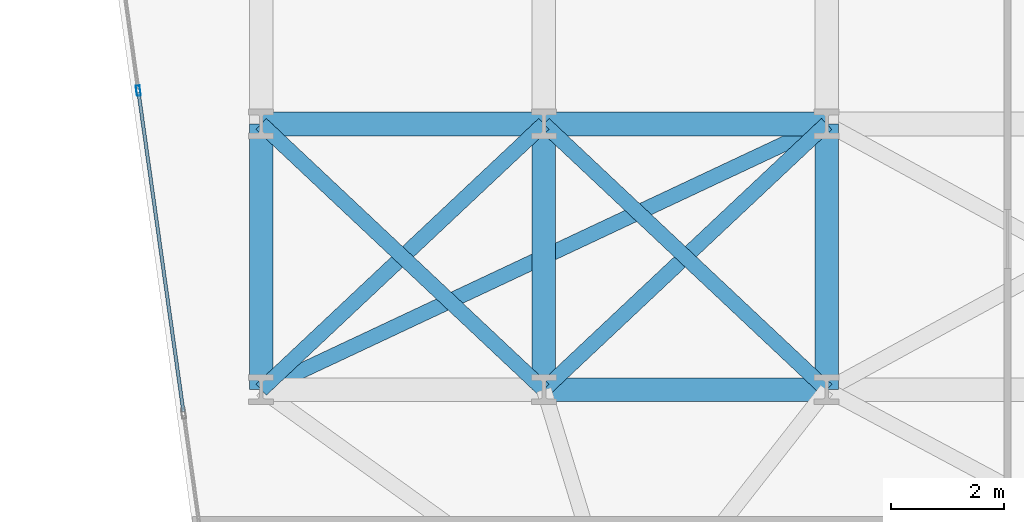
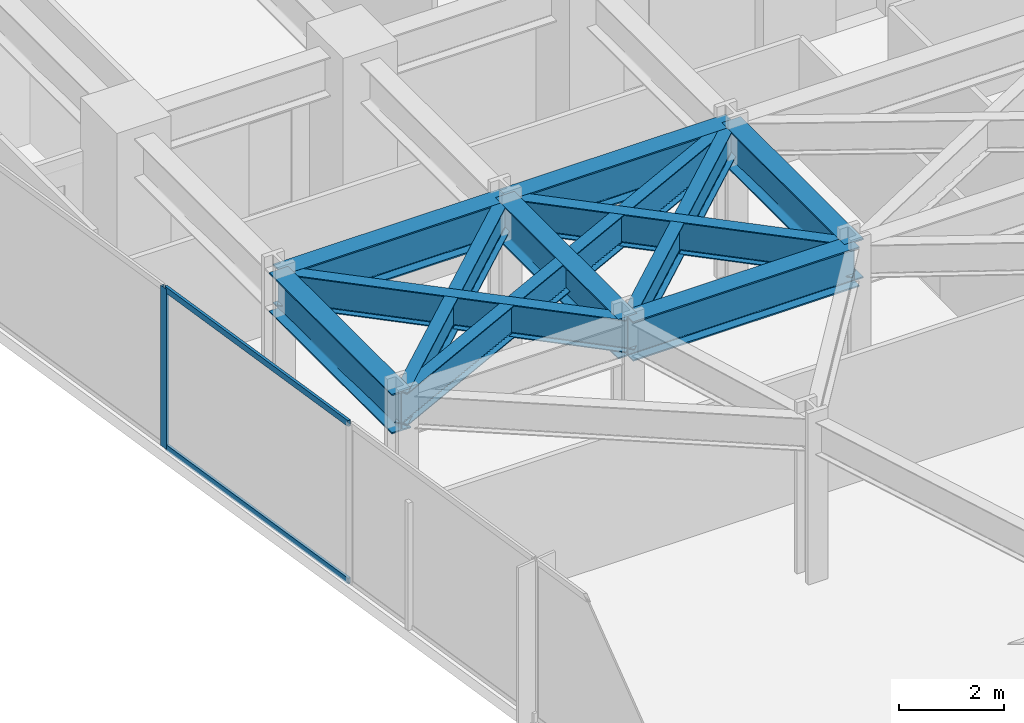
# One storey, part 8 of 25: 11 beams, 3 members, 1 element without a shape of its own.
"""IFC4 building model written with IfcOpenShell, lengths in metres."""

from ifc_helpers import new_model, si_unit, direction, frame, origin, origin_2d, place, context, subcontext, project, spatial, hollow_rectangle, i_section, extrude, material, layer, layer_set, material_profile, profile_set, type_object, element, aggregate, save


model = new_model("IFC4")

# Units and contexts
model_context = context("Model", 3, precision=1e-05, world=origin(), true_north=direction((0.0, 1.0)))
body_context = subcontext(model_context, "Body", "Model", "MODEL_VIEW")
ifc_project = project(units=[si_unit("LENGTHUNIT", "METRE"), si_unit("AREAUNIT", "SQUARE_METRE"), si_unit("VOLUMEUNIT", "CUBIC_METRE"), si_unit("PLANEANGLEUNIT", "RADIAN"), si_unit("MASSUNIT", "GRAM", prefix="KILO")], contexts=[model_context])

# Site, building, storey
site_placement = place(None, origin())
site = spatial("IfcSite", under=ifc_project, at=site_placement, CompositionType="ELEMENT")
building_placement = place(site_placement, origin())
building = spatial("IfcBuilding", under=site, at=building_placement, Name="Kravanh Interchange Tower", CompositionType="ELEMENT")
storey_placement = place(building_placement, frame((0.0, 0.0, 41.5)))
storey = spatial("IfcBuildingStorey", under=building, at=storey_placement, Name="L09", CompositionType="ELEMENT", Elevation=41.5)

# Curtain wall, members
ifc_material_1 = material(Name="Anodised Bronze Aluminium", Category="aluminium")
ifc_layer = layer(ifc_material_1, 0.179931640625)
ifc_layer_set = layer_set([ifc_layer], Name="Unitised Curtain Wall System CW-Z1 Lower Office")
curtain_wall_type = type_object("IfcCurtainWallType", Name="Unitised Curtain Wall System CW-Z1 Lower Office", PredefinedType="NOTDEFINED", material=ifc_layer_set)
curtain_wall_placement = place(storey_placement, origin())
curtain_wall = element("IfcCurtainWall", 1, at=curtain_wall_placement, inside=storey, type_object=curtain_wall_type, Name="L09 Unitised Curtain Wall CW-L09-01", PredefinedType="NOTDEFINED")
ifc_material_2 = material(Name="Anodised Bronze Aluminium", Category="aluminium")
ifc_material_profile_1 = material_profile(ifc_material_2, hollow_rectangle(XDim=0.070068359375, YDim=0.179931640625, WallThickness=0.00390625, at=origin_2d()), Name="ALU70X180X4")
ifc_profile_set_1 = profile_set([ifc_material_profile_1], Name="Anodised Bronze Aluminium")
member_type_1 = type_object("IfcMemberType", Name="Curtain Wall Mullion ALU70X180X4 Bronze", PredefinedType="MULLION", material=ifc_profile_set_1)
member_1_placement = place(storey_placement, frame((6.427490234375, 32.08935546875, 0.0), z_axis=(0.0, 0.0, 1.0), x_axis=(-0.990267585682, -0.139176538065, 0.0)))
member_1 = element("IfcMember", 2, at=member_1_placement, type_object=member_type_1, Name="CW-Z1 mullion 6", PredefinedType="MULLION", context=body_context, shape_type="SweptSolid", body=[
    extrude(hollow_rectangle(XDim=0.070068359375, YDim=0.179931640625, WallThickness=0.00390625, at=origin_2d()), origin(), (0.0, 0.0, 1.0), 3.739990234375),
])
ifc_material_3 = material(Name="Anodised Bronze Aluminium", Category="aluminium")
ifc_material_profile_2 = material_profile(ifc_material_3, hollow_rectangle(XDim=0.06005859375, YDim=0.139892578125, WallThickness=0.00390625, at=origin_2d()), Name="ALU60X140X4")
ifc_profile_set_2 = profile_set([ifc_material_profile_2], Name="Anodised Bronze Aluminium")
member_type_2 = type_object("IfcMemberType", Name="Curtain Wall Transom ALU60X140X4 Bronze", PredefinedType="USERDEFINED", material=ifc_profile_set_2)
member_2_placement = place(storey_placement, frame((7.22509765625, 26.41357421875, 0.030029296875), z_axis=(-0.139158957544, 0.990270056366, 0.0), x_axis=(-0.990270056366, -0.139158957544, 0.0)))
member_2 = element("IfcMember", 3, at=member_2_placement, type_object=member_type_2, Name="CW-Z1 transom 5.1", ObjectType="TRANSOM", PredefinedType="USERDEFINED", context=body_context, shape_type="SweptSolid", body=[
    extrude(hollow_rectangle(XDim=0.06005859375, YDim=0.139892578125, WallThickness=0.00390625, at=origin_2d()), origin(), (0.0, 0.0, 1.0), 5.696533203125),
])
member_3_placement = place(storey_placement, frame((7.22509765625, 26.41357421875, 3.7099609375), z_axis=(-0.139158957544, 0.990270056366, 0.0), x_axis=(-0.990270056366, -0.139158957544, 0.0)))
member_3 = element("IfcMember", 4, at=member_3_placement, type_object=member_type_2, Name="CW-Z1 transom 5.2", ObjectType="TRANSOM", PredefinedType="USERDEFINED", context=body_context, shape_type="SweptSolid", body=[
    extrude(hollow_rectangle(XDim=0.06005859375, YDim=0.139892578125, WallThickness=0.00390625, at=origin_2d()), origin(), (0.0, 0.0, 1.0), 5.696533203125),
])
aggregate(curtain_wall, [member_1, member_2, member_3])

# Beams
ifc_material_4 = material(Name="Structural Steel S355", Category="steel")
ifc_material_profile_3 = material_profile(ifc_material_4, i_section(OverallWidth=0.41796875, OverallDepth=0.927001953125, WebThickness=0.019287109375, FlangeThickness=0.031982421875, FilletRadius=0.028076171875, at=origin_2d()), Name="W36X231")
ifc_profile_set_3 = profile_set([ifc_material_profile_3], Name="Structural Steel S355")
beam_type_1 = type_object("IfcBeamType", Name="Floor Beam W36X231 Structural Steel S355", PredefinedType="BEAM", material=ifc_profile_set_3)
for number, where, z_axis, x_axis, name in (
    (5, (8.60009765625, 26.800048828125, 3.276611328125), (0.0, 1.0, 0.0), (-1.0, 0.0, 0.0), "L09 Primary Floor Girder 66"),
    (6, (13.60009765625, 26.800048828125, 3.276611328125), (0.0, 1.0, 0.0), (-1.0, 0.0, 0.0), "L09 Primary Floor Girder 70"),
):
    element("IfcBeam", number, at=place(storey_placement, frame(where, z_axis=z_axis, x_axis=x_axis)), inside=storey, type_object=beam_type_1, Name=name, PredefinedType="BEAM", context=body_context, shape_type="SweptSolid", body=[
        extrude(i_section(OverallWidth=0.41796875, OverallDepth=0.927001953125, WebThickness=0.019287109375, FlangeThickness=0.031982421875, FilletRadius=0.028076171875, at=origin_2d()), origin(), (0.0, 0.0, 1.0), 4.699951171875),
    ])
beam_1_placement = place(storey_placement, frame((13.60009765625, 26.800048828125, 3.276611328125), z_axis=(1.0, 0.0, 0.0), x_axis=(0.0, 1.0, 0.0)))
element("IfcBeam", 7, at=beam_1_placement, inside=storey, type_object=beam_type_1, Name="L09 Primary Floor Girder 71", PredefinedType="BEAM", context=body_context, shape_type="SweptSolid", body=[
    extrude(i_section(OverallWidth=0.41796875, OverallDepth=0.927001953125, WebThickness=0.019287109375, FlangeThickness=0.031982421875, FilletRadius=0.028076171875, at=origin_2d()), origin(), (0.0, 0.0, 1.0), 5.0),
])
beam_2_placement = place(storey_placement, frame((18.60009765625, 26.800048828125, 3.276611328125), z_axis=(0.0, 1.0, 0.0), x_axis=(-1.0, 0.0, 0.0)))
element("IfcBeam", 8, at=beam_2_placement, inside=storey, type_object=beam_type_1, Name="L09 Primary Floor Girder 74", PredefinedType="BEAM", context=body_context, shape_type="SweptSolid", body=[
    extrude(i_section(OverallWidth=0.41796875, OverallDepth=0.927001953125, WebThickness=0.019287109375, FlangeThickness=0.031982421875, FilletRadius=0.028076171875, at=origin_2d()), origin(), (0.0, 0.0, 1.0), 4.699951171875),
])
for number, where, z_axis, x_axis, name in (
    (9, (8.60009765625, 31.5, 3.276611328125), (1.0, 0.0, 0.0), (0.0, 1.0, 0.0), "L09 Primary Floor Girder 100"),
    (10, (13.60009765625, 31.5, 3.276611328125), (1.0, 0.0, 0.0), (0.0, 1.0, 0.0), "L09 Primary Floor Girder 101"),
):
    element("IfcBeam", number, at=place(storey_placement, frame(where, z_axis=z_axis, x_axis=x_axis)), inside=storey, type_object=beam_type_1, Name=name, PredefinedType="BEAM", context=body_context, shape_type="SweptSolid", body=[
        extrude(i_section(OverallWidth=0.41796875, OverallDepth=0.927001953125, WebThickness=0.019287109375, FlangeThickness=0.031982421875, FilletRadius=0.028076171875, at=origin_2d()), origin(), (0.0, 0.0, 1.0), 5.0),
    ])
ifc_material_5 = material(Name="Structural Steel S355", Category="steel")
ifc_material_profile_4 = material_profile(ifc_material_5, i_section(OverallWidth=0.26708984375, OverallDepth=0.761962890625, WebThickness=0.014404296875, FlangeThickness=0.021484375, FilletRadius=0.02490234375, at=origin_2d()), Name="W30X116")
ifc_profile_set_4 = profile_set([ifc_material_profile_4], Name="Structural Steel S355")
beam_type_2 = type_object("IfcBeamType", Name="Floor Spandrel W30X116 Structural Steel S355", PredefinedType="SPANDREL", material=ifc_profile_set_4)
beam_3_placement = place(storey_placement, frame((8.60009765625, 26.800048828125, 3.35888671875), z_axis=(0.728631219862, 0.684906231131, 0.0), x_axis=(-0.684906231131, 0.728631219862, 0.0)))
element("IfcBeam", 11, at=beam_3_placement, inside=storey, type_object=beam_type_2, Name="L09 Perimeter Spandrel 68", PredefinedType="SPANDREL", context=body_context, shape_type="SweptSolid", body=[
    extrude(i_section(OverallWidth=0.26708984375, OverallDepth=0.761962890625, WebThickness=0.014404296875, FlangeThickness=0.021484375, FilletRadius=0.02490234375, at=origin_2d()), origin(), (0.0, 0.0, 1.0), 6.862060546875),
])
beam_4_placement = place(storey_placement, frame((8.60009765625, 26.800048828125, 3.35888671875), z_axis=(0.905025402916, 0.425357520301, 0.0), x_axis=(-0.425357520301, 0.905025402916, 0.0)))
element("IfcBeam", 12, at=beam_4_placement, inside=storey, type_object=beam_type_2, Name="L09 Perimeter Spandrel 69", PredefinedType="SPANDREL", context=body_context, shape_type="SweptSolid", body=[
    extrude(i_section(OverallWidth=0.26708984375, OverallDepth=0.761962890625, WebThickness=0.014404296875, FlangeThickness=0.021484375, FilletRadius=0.02490234375, at=origin_2d()), origin(), (0.0, 0.0, 1.0), 11.04931640625),
])
for number, where, z_axis, x_axis, name in (
    (13, (13.60009765625, 26.800048828125, 3.35888671875), (-0.728631219862, 0.684906231131, 0.0), (-0.684906231131, -0.728631219862, 0.0), "L09 Perimeter Spandrel 72"),
    (14, (13.60009765625, 26.800048828125, 3.35888671875), (0.728631219862, 0.684906231131, 0.0), (-0.684906231131, 0.728631219862, 0.0), "L09 Perimeter Spandrel 73"),
    (15, (18.60009765625, 26.800048828125, 3.35888671875), (-0.728631219862, 0.684906231131, 0.0), (-0.684906231131, -0.728631219862, 0.0), "L09 Perimeter Spandrel 75"),
):
    element("IfcBeam", number, at=place(storey_placement, frame(where, z_axis=z_axis, x_axis=x_axis)), inside=storey, type_object=beam_type_2, Name=name, PredefinedType="SPANDREL", context=body_context, shape_type="SweptSolid", body=[
        extrude(i_section(OverallWidth=0.26708984375, OverallDepth=0.761962890625, WebThickness=0.014404296875, FlangeThickness=0.021484375, FilletRadius=0.02490234375, at=origin_2d()), origin(), (0.0, 0.0, 1.0), 6.862060546875),
    ])

save(model, "model.ifc")
